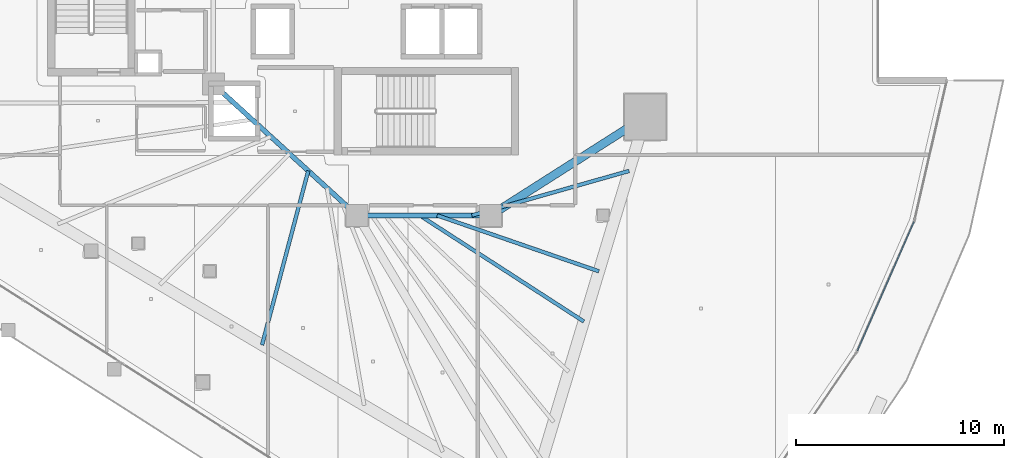
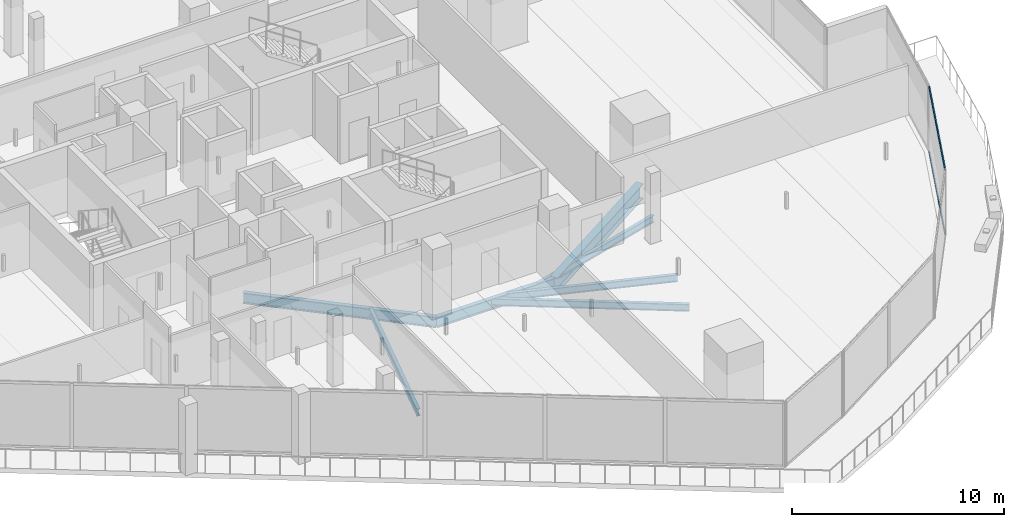
# One storey, part 11 of 42: 7 beams, 2 members, 1 element without a shape of its own.
"""IFC4 building model written with IfcOpenShell, lengths in metres."""

from ifc_helpers import new_model, si_unit, direction, frame, origin, origin_2d, place, context, subcontext, project, spatial, hollow_rectangle, i_section, extrude, material, layer, layer_set, material_profile, profile_set, type_object, element, aggregate, save


model = new_model("IFC4")

# Units and contexts
model_context = context("Model", 3, precision=1e-05, world=origin(), true_north=direction((0.0, 1.0)))
body_context = subcontext(model_context, "Body", "Model", "MODEL_VIEW")
ifc_project = project(units=[si_unit("LENGTHUNIT", "METRE"), si_unit("AREAUNIT", "SQUARE_METRE"), si_unit("VOLUMEUNIT", "CUBIC_METRE"), si_unit("PLANEANGLEUNIT", "RADIAN"), si_unit("MASSUNIT", "GRAM", prefix="KILO")], contexts=[model_context])

# Site, building, storey
site_placement = place(None, origin())
site = spatial("IfcSite", under=ifc_project, at=site_placement, CompositionType="ELEMENT")
building_placement = place(site_placement, origin())
building = spatial("IfcBuilding", under=site, at=building_placement, Name="Qorvath Tower", CompositionType="ELEMENT")
storey_placement = place(building_placement, frame((0.0, 0.0, 117.89990234375)))
storey = spatial("IfcBuildingStorey", under=building, at=storey_placement, Name="L26", CompositionType="ELEMENT", Elevation=117.89990234375)

# Beams
ifc_material_1 = material(Name="Steel ASTM A992 Grade 50", Category="steel")
ifc_material_profile_1 = material_profile(ifc_material_1, i_section(OverallWidth=0.39892578125, OverallDepth=0.85498046875, WebThickness=0.018310546875, FlangeThickness=0.029296875, FilletRadius=0.02001953125, at=origin_2d()), Name="W33x201")
ifc_profile_set_1 = profile_set([ifc_material_profile_1], Name="Steel ASTM A992 Grade 50")
beam_type_1 = type_object("IfcBeamType", Name="BM-FG2", PredefinedType="BEAM", material=ifc_profile_set_1)
beam_1_placement = place(storey_placement, frame((-17.199951171875, -11.449951171875, -0.707275390625), z_axis=(0.843634090834, 0.536918542037, 0.0), x_axis=(-0.536918542037, 0.843634090834, 0.0)))
element("IfcBeam", 1, at=beam_1_placement, inside=storey, type_object=beam_type_1, Name="Radial Floor Girder CC3-MC4 L26", PredefinedType="BEAM", context=body_context, shape_type="SweptSolid", body=[
    extrude(i_section(OverallWidth=0.39892578125, OverallDepth=0.85498046875, WebThickness=0.018310546875, FlangeThickness=0.029296875, FilletRadius=0.02001953125, at=origin_2d()), origin(), (0.0, 0.0, 1.0), 8.806884765625),
])
ifc_material_2 = material(Name="Steel ASTM A992 Grade 50", Category="steel")
ifc_material_profile_2 = material_profile(ifc_material_2, i_section(OverallWidth=0.22998046875, OverallDepth=0.616943359375, WebThickness=0.01318359375, FlangeThickness=0.022216796875, FilletRadius=0.014892578125, at=origin_2d()), Name="W24x94")
ifc_profile_set_2 = profile_set([ifc_material_profile_2], Name="Steel ASTM A992 Grade 50")
beam_type_2 = type_object("IfcBeamType", Name="BM-FG6", PredefinedType="BEAM", material=ifc_profile_set_2)
beam_2_placement = place(storey_placement, frame((-17.199951171875, -11.449951171875, -0.58837890625), z_axis=(-1.0, 0.0, 0.0), x_axis=(0.0, -1.0, 0.0)))
element("IfcBeam", 2, at=beam_2_placement, inside=storey, type_object=beam_type_2, Name="Core Ring Girder CC3-CC4 L26", PredefinedType="BEAM", context=body_context, shape_type="SweptSolid", body=[
    extrude(i_section(OverallWidth=0.22998046875, OverallDepth=0.616943359375, WebThickness=0.01318359375, FlangeThickness=0.022216796875, FilletRadius=0.014892578125, at=origin_2d()), origin(), (0.0, 0.0, 1.0), 6.400146484375),
])
beam_3_placement = place(storey_placement, frame((-23.60009765625, -11.449951171875, -0.58837890625), z_axis=(-0.73847813985, 0.6742774184, 0.0), x_axis=(-0.6742774184, -0.73847813985, 0.0)))
element("IfcBeam", 3, at=beam_3_placement, inside=storey, type_object=beam_type_2, Name="Core Ring Girder CC4-CC6 L26", PredefinedType="BEAM", context=body_context, shape_type="SweptSolid", body=[
    extrude(i_section(OverallWidth=0.22998046875, OverallDepth=0.616943359375, WebThickness=0.01318359375, FlangeThickness=0.022216796875, FilletRadius=0.014892578125, at=origin_2d()), origin(), (0.0, 0.0, 1.0), 9.343505859375),
])
ifc_material_3 = material(Name="Steel ASTM A992 Grade 50", Category="steel")
ifc_material_profile_3 = material_profile(ifc_material_3, i_section(OverallWidth=0.177978515625, OverallDepth=0.406005859375, WebThickness=0.0078125, FlangeThickness=0.0126953125, FilletRadius=0.010986328125, at=origin_2d()), Name="W16x40")
ifc_profile_set_3 = profile_set([ifc_material_profile_3], Name="Steel ASTM A992 Grade 50")
beam_type_3 = type_object("IfcBeamType", Name="BM-FJ3", PredefinedType="JOIST", material=ifc_profile_set_3)
beam_4_placement = place(storey_placement, frame((-18.095947265625, -11.449951171875, -0.48291015625), z_axis=(0.962222206221, 0.272265359264, 0.0), x_axis=(-0.272265359264, 0.962222206221, 0.0)))
element("IfcBeam", 4, at=beam_4_placement, inside=storey, type_object=beam_type_3, Name="Composite Floor Joist SE1 L26", PredefinedType="JOIST", context=body_context, shape_type="SweptSolid", body=[
    extrude(i_section(OverallWidth=0.177978515625, OverallDepth=0.406005859375, WebThickness=0.0078125, FlangeThickness=0.0126953125, FilletRadius=0.010986328125, at=origin_2d()), origin(), (0.0, 0.0, 1.0), 7.841552734375),
])
beam_5_placement = place(storey_placement, frame((-19.760009765625, -11.449951171875, -0.48291015625), z_axis=(0.945168345309, -0.326583525342, 0.0), x_axis=(0.326583525342, 0.945168345309, 0.0)))
element("IfcBeam", 5, at=beam_5_placement, inside=storey, type_object=beam_type_3, Name="Composite Floor Joist SE3 L26", PredefinedType="JOIST", context=body_context, shape_type="SweptSolid", body=[
    extrude(i_section(OverallWidth=0.177978515625, OverallDepth=0.406005859375, WebThickness=0.0078125, FlangeThickness=0.0126953125, FilletRadius=0.010986328125, at=origin_2d()), origin(), (0.0, 0.0, 1.0), 8.21044921875),
])
beam_6_placement = place(storey_placement, frame((-20.592041015625, -11.449951171875, -0.48291015625), z_axis=(0.839630966809, -0.543157288062, 0.0), x_axis=(0.543157288062, 0.839630966809, 0.0)))
element("IfcBeam", 6, at=beam_6_placement, inside=storey, type_object=beam_type_3, Name="Composite Floor Joist SE4 L26", PredefinedType="JOIST", context=body_context, shape_type="SweptSolid", body=[
    extrude(i_section(OverallWidth=0.177978515625, OverallDepth=0.406005859375, WebThickness=0.0078125, FlangeThickness=0.0126953125, FilletRadius=0.010986328125, at=origin_2d()), origin(), (0.0, 0.0, 1.0), 9.370361328125),
])
beam_7_placement = place(storey_placement, frame((-25.946044921875, -9.30810546875, -0.48291015625), z_axis=(-0.256507909517, -0.966542131702, 0.0), x_axis=(0.966542131702, -0.256507909517, 0.0)))
element("IfcBeam", 7, at=beam_7_placement, inside=storey, type_object=beam_type_3, Name="Composite Floor Joist SW5 L26", PredefinedType="JOIST", context=body_context, shape_type="SweptSolid", body=[
    extrude(i_section(OverallWidth=0.177978515625, OverallDepth=0.406005859375, WebThickness=0.0078125, FlangeThickness=0.0126953125, FilletRadius=0.010986328125, at=origin_2d()), origin(), (0.0, 0.0, 1.0), 8.64697265625),
])

# Curtain wall, members
ifc_material_4 = material(Name="Anodised aluminium and triple low-E glass", Category="aluminium")
ifc_layer = layer(ifc_material_4, 0.179931640625)
ifc_layer_set = layer_set([ifc_layer], Name="CW-SYS-2")
curtain_wall_type = type_object("IfcCurtainWallType", Name="CW-SYS-2", PredefinedType="NOTDEFINED", material=ifc_layer_set)
curtain_wall_placement = place(storey_placement, origin())
curtain_wall = element("IfcCurtainWall", 8, at=curtain_wall_placement, inside=storey, type_object=curtain_wall_type, Name="Curtain Wall CW-2 CW-T-L26-6.1", PredefinedType="NOTDEFINED")
ifc_material_5 = material(Name="Anodised aluminium 6063-T6", Category="aluminium")
ifc_material_profile_4 = material_profile(ifc_material_5, hollow_rectangle(XDim=0.06494140625, YDim=0.159912109375, WallThickness=0.00341796875, InnerFilletRadius=0.00341796875, OuterFilletRadius=0.007080078125, at=origin_2d()), Name="CWT 160x65")
ifc_profile_set_4 = profile_set([ifc_material_profile_4], Name="Anodised aluminium 6063-T6")
member_type = type_object("IfcMemberType", Name="CWT-160", PredefinedType="USERDEFINED", material=ifc_profile_set_4)
member_1_placement = place(storey_placement, frame((0.3984375, -17.952880859375, 0.032470703125), z_axis=(0.40165088522, 0.91579286217, 0.0), x_axis=(-0.91579286217, 0.40165088522, 0.0)))
member_1 = element("IfcMember", 9, at=member_1_placement, type_object=member_type, Name="CW-2 transom 1.1", ObjectType="TRANSOM", PredefinedType="USERDEFINED", context=body_context, shape_type="SweptSolid", body=[
    extrude(hollow_rectangle(XDim=0.06494140625, YDim=0.159912109375, WallThickness=0.00341796875, InnerFilletRadius=0.00341796875, OuterFilletRadius=0.007080078125, at=origin_2d()), origin(), (0.0, 0.0, 1.0), 6.771484375),
])
member_2_placement = place(storey_placement, frame((0.3984375, -17.952880859375, 3.737548828125), z_axis=(0.40165088522, 0.91579286217, 0.0), x_axis=(-0.91579286217, 0.40165088522, 0.0)))
member_2 = element("IfcMember", 10, at=member_2_placement, type_object=member_type, Name="CW-2 transom 1.2", ObjectType="TRANSOM", PredefinedType="USERDEFINED", context=body_context, shape_type="SweptSolid", body=[
    extrude(hollow_rectangle(XDim=0.06494140625, YDim=0.159912109375, WallThickness=0.00341796875, InnerFilletRadius=0.00341796875, OuterFilletRadius=0.007080078125, at=origin_2d()), origin(), (0.0, 0.0, 1.0), 6.771484375),
])
aggregate(curtain_wall, [member_1, member_2])

save(model, "model.ifc")
